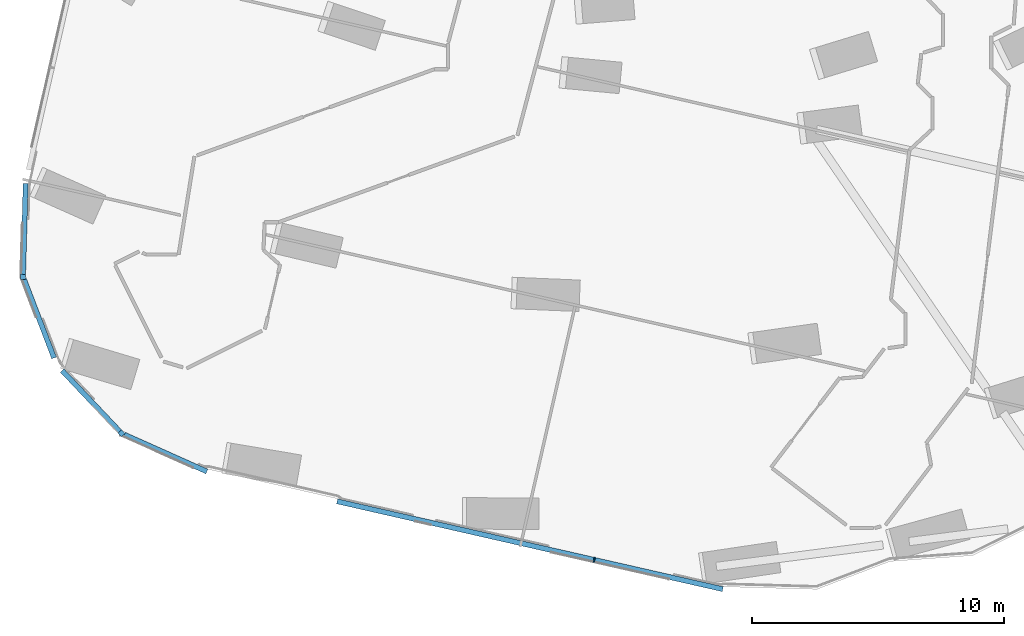
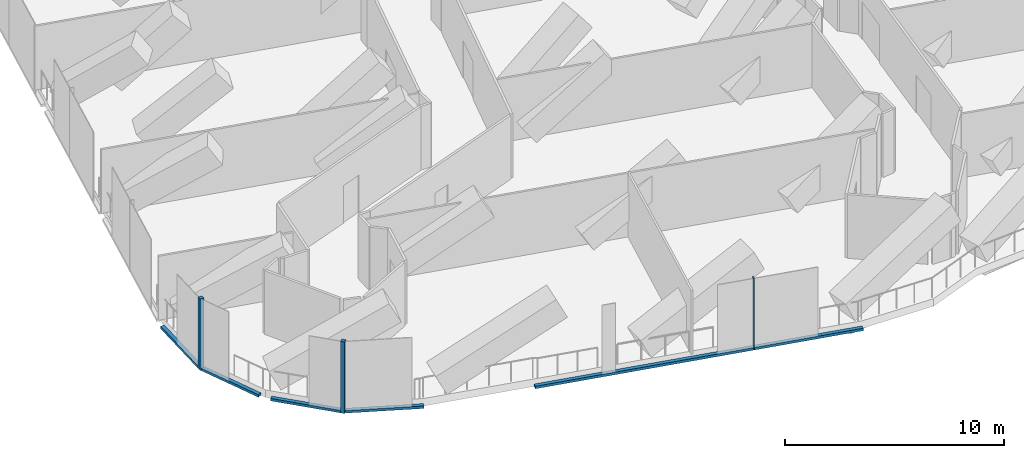
# One storey, part 2 of 29: 8 members, 5 elements without a shape of their own.
"""IFC4 building model written with IfcOpenShell, lengths in metres."""

from ifc_helpers import new_model, si_unit, direction, frame, origin, origin_2d, place, context, subcontext, project, spatial, rectangle, extrude, material, material_profile, profile_set, type_object, element, aggregate, save


model = new_model("IFC4")

# Units and contexts
model_context = context("Model", 3, precision=1e-05, world=origin(), true_north=direction((0.0, 1.0)))
body_context = subcontext(model_context, "Body", "Model", "MODEL_VIEW")
ifc_project = project(units=[si_unit("LENGTHUNIT", "METRE"), si_unit("AREAUNIT", "SQUARE_METRE"), si_unit("VOLUMEUNIT", "CUBIC_METRE"), si_unit("PLANEANGLEUNIT", "RADIAN"), si_unit("MASSUNIT", "GRAM", prefix="KILO")], contexts=[model_context])

# Site, building, storey
site_placement = place(None, origin())
site = spatial("IfcSite", under=ifc_project, at=site_placement, CompositionType="ELEMENT")
building_placement = place(site_placement, origin())
building = spatial("IfcBuilding", under=site, at=building_placement, Name="Orlundy Tower", CompositionType="ELEMENT")
storey_placement = place(building_placement, frame((0.0, 0.0, 184.60009765625)))
storey = spatial("IfcBuildingStorey", under=building, at=storey_placement, Name="L48", CompositionType="ELEMENT", Elevation=184.60009765625)

# Curtain wall, member
ifc_material_1 = material(Name="Aluminium bronze anodised", Category="aluminium")
curtain_wall_type = type_object("IfcCurtainWallType", Name="CW5 wall", PredefinedType="NOTDEFINED", material=ifc_material_1)
curtain_wall_1_placement = place(storey_placement, origin())
curtain_wall_1 = element("IfcCurtainWall", 1, at=curtain_wall_1_placement, inside=storey, type_object=curtain_wall_type, Name="CW5 run 041", PredefinedType="NOTDEFINED")
ifc_material_2 = material(Name="Aluminium bronze anodised", Category="aluminium")
ifc_material_profile_1 = material_profile(ifc_material_2, rectangle(XDim=0.199951171875, YDim=0.199951171875, at=origin_2d()), Name="CW5 corner post 200x200")
ifc_profile_set_1 = profile_set([ifc_material_profile_1], Name="Aluminium bronze anodised")
member_type_1 = type_object("IfcMemberType", Name="CW5 corner post 200x200", PredefinedType="MULLION", material=ifc_profile_set_1)
member_1_placement = place(storey_placement, frame((-27.118896484375, -55.22705078125, -0.420166015625), z_axis=(0.0, 0.0, 1.0), x_axis=(-0.726526655942, -0.68713828172, 0.0)))
member_1 = element("IfcMember", 2, at=member_1_placement, type_object=member_type_1, Name="CW5 mullion 61", PredefinedType="MULLION", context=body_context, shape_type="SweptSolid", body=[
    extrude(rectangle(XDim=0.199951171875, YDim=0.199951171875, at=origin_2d()), origin(), (0.0, 0.0, 1.0), 4.0),
])

curtain_wall_2_placement = place(storey_placement, origin())
curtain_wall_2 = element("IfcCurtainWall", 3, at=curtain_wall_2_placement, inside=storey, type_object=curtain_wall_type, Name="CW5 run 043", PredefinedType="NOTDEFINED")
member_2_placement = place(storey_placement, frame((-31.031494140625, -49.006103515625, -0.420166015625), z_axis=(0.0, 0.0, 1.0), x_axis=(-0.999613796342, 0.027789533343, 0.0)))
member_2 = element("IfcMember", 4, at=member_2_placement, type_object=member_type_1, Name="CW5 mullion 63", PredefinedType="MULLION", context=body_context, shape_type="SweptSolid", body=[
    extrude(rectangle(XDim=0.199951171875, YDim=0.199951171875, at=origin_2d()), origin(), (0.0, 0.0, 1.0), 4.0),
])

# Curtain wall, members
curtain_wall_3_placement = place(storey_placement, origin())
curtain_wall_3 = element("IfcCurtainWall", 5, at=curtain_wall_3_placement, inside=storey, type_object=curtain_wall_type, Name="CW5 run 039", PredefinedType="NOTDEFINED")
ifc_material_3 = material(Name="Aluminium bronze anodised", Category="aluminium")
ifc_material_profile_2 = material_profile(ifc_material_3, rectangle(XDim=0.199951171875, YDim=0.050048828125, at=origin_2d()), Name="CW5 mullion 50x200")
ifc_profile_set_2 = profile_set([ifc_material_profile_2], Name="Aluminium bronze anodised")
member_type_2 = type_object("IfcMemberType", Name="CW5 mullion 50x200", PredefinedType="MULLION", material=ifc_profile_set_2)
member_3_placement = place(storey_placement, frame((-8.34130859375, -60.25244140625, -0.420166015625), z_axis=(0.0, 0.0, 1.0), x_axis=(-0.222090335048, -0.975026093537, 0.0)))
member_3 = element("IfcMember", 6, at=member_3_placement, type_object=member_type_2, Name="CW5 mullion 57", PredefinedType="MULLION", context=body_context, shape_type="SweptSolid", body=[
    extrude(rectangle(XDim=0.199951171875, YDim=0.050048828125, at=origin_2d()), origin(), (0.0, 0.0, 1.0), 4.0),
])
ifc_material_4 = material(Name="Aluminium bronze anodised", Category="aluminium")
ifc_material_profile_3 = material_profile(ifc_material_4, rectangle(XDim=0.199951171875, YDim=0.139892578125, at=origin_2d()), Name="CW5 transom 200x140")
ifc_profile_set_3 = profile_set([ifc_material_profile_3], Name="Aluminium bronze anodised")
member_type_3 = type_object("IfcMemberType", Name="CW5 transom 200x140", PredefinedType="USERDEFINED", material=ifc_profile_set_3)
member_4_placement = place(storey_placement, frame((-3.237060546875, -61.4150390625, -0.35009765625), z_axis=(-0.975027107872, 0.222085881843, 0.0), x_axis=(-0.222085881843, -0.975027107872, 0.0)))
member_4 = element("IfcMember", 7, at=member_4_placement, type_object=member_type_3, Name="CW5 transom", ObjectType="TRANSOM", PredefinedType="USERDEFINED", context=body_context, shape_type="SweptSolid", body=[
    extrude(rectangle(XDim=0.199951171875, YDim=0.139892578125, at=origin_2d()), origin(), (0.0, 0.0, 1.0), 15.710205078125),
])
aggregate(curtain_wall_3, [member_3, member_4])

# Curtain wall, member
curtain_wall_4_placement = place(storey_placement, origin())
curtain_wall_4 = element("IfcCurtainWall", 8, at=curtain_wall_4_placement, inside=storey, type_object=curtain_wall_type, Name="CW5 run 040", PredefinedType="NOTDEFINED")
member_5_placement = place(storey_placement, frame((-23.730712890625, -56.741943359375, -0.35009765625), z_axis=(-0.912915263074, 0.408149142405, 0.0), x_axis=(-0.408149142405, -0.912915263074, 0.0)))
member_5 = element("IfcMember", 9, at=member_5_placement, type_object=member_type_3, Name="CW5 transom", ObjectType="TRANSOM", PredefinedType="USERDEFINED", context=body_context, shape_type="SweptSolid", body=[
    extrude(rectangle(XDim=0.199951171875, YDim=0.139892578125, at=origin_2d()), origin(), (0.0, 0.0, 1.0), 3.603271484375),
])
aggregate(curtain_wall_4, [member_5])

# Member
member_6_placement = place(storey_placement, frame((-27.187744140625, -55.154541015625, -0.35009765625), z_axis=(-0.687098541347, 0.726564239747, 0.0), x_axis=(-0.726564239747, -0.687098541347, 0.0)))
member_6 = element("IfcMember", 10, at=member_6_placement, type_object=member_type_3, Name="CW5 transom", ObjectType="TRANSOM", PredefinedType="USERDEFINED", context=body_context, shape_type="SweptSolid", body=[
    extrude(rectangle(XDim=0.199951171875, YDim=0.139892578125, at=origin_2d()), origin(), (0.0, 0.0, 1.0), 3.334228515625),
])

aggregate(curtain_wall_1, [member_1, member_6])

# Curtain wall, member
curtain_wall_5_placement = place(storey_placement, origin())
curtain_wall_5 = element("IfcCurtainWall", 11, at=curtain_wall_5_placement, inside=storey, type_object=curtain_wall_type, Name="CW5 run 042", PredefinedType="NOTDEFINED")
member_7_placement = place(storey_placement, frame((-29.799072265625, -52.22900390625, -0.35009765625), z_axis=(-0.357191822437, 0.934031049797, 0.0), x_axis=(-0.934031049797, -0.357191822437, 0.0)))
member_7 = element("IfcMember", 12, at=member_7_placement, type_object=member_type_3, Name="CW5 transom", ObjectType="TRANSOM", PredefinedType="USERDEFINED", context=body_context, shape_type="SweptSolid", body=[
    extrude(rectangle(XDim=0.199951171875, YDim=0.139892578125, at=origin_2d()), origin(), (0.0, 0.0, 1.0), 3.34228515625),
])
aggregate(curtain_wall_5, [member_7])

# Member
member_8_placement = place(storey_placement, frame((-31.02880859375, -48.90625, -0.35009765625), z_axis=(0.027785832043, 0.999613899232, 0.0), x_axis=(-0.999613899232, 0.027785832043, 0.0)))
member_8 = element("IfcMember", 13, at=member_8_placement, type_object=member_type_3, Name="CW5 transom", ObjectType="TRANSOM", PredefinedType="USERDEFINED", context=body_context, shape_type="SweptSolid", body=[
    extrude(rectangle(XDim=0.199951171875, YDim=0.139892578125, at=origin_2d()), origin(), (0.0, 0.0, 1.0), 3.611328125),
])

aggregate(curtain_wall_2, [member_2, member_8])

save(model, "model.ifc")
